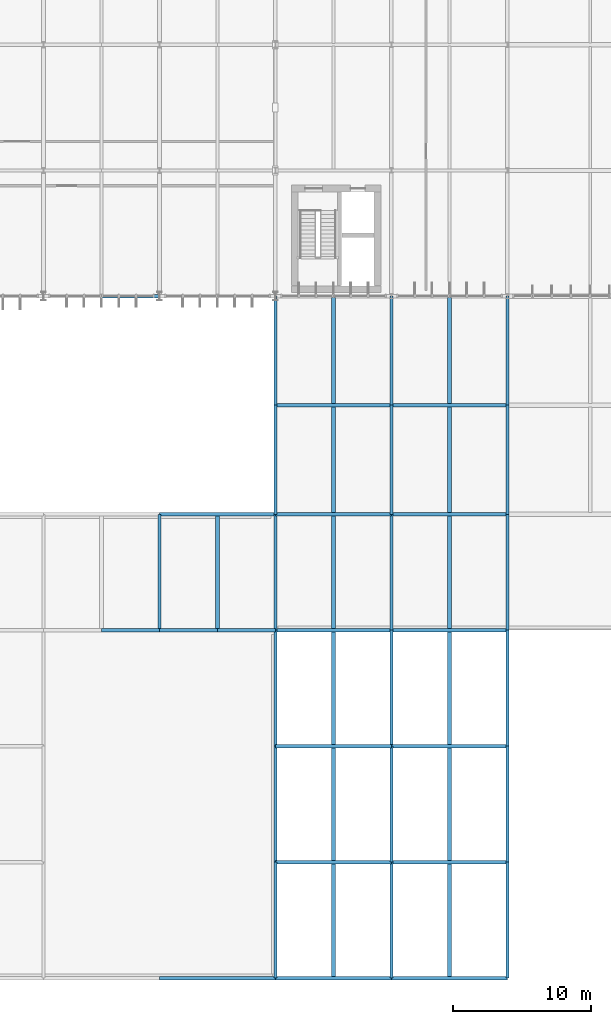
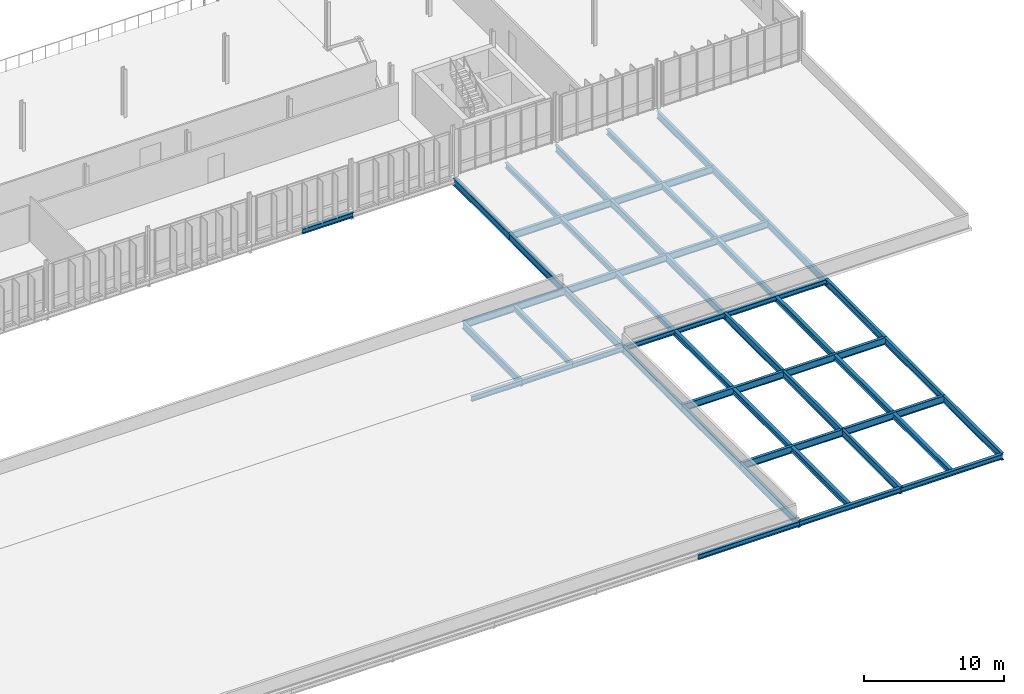
# One storey, part 60 of 107: 50 beams.
"""IFC4 building model written with IfcOpenShell, lengths in metres."""

from ifc_helpers import new_model, si_unit, derived_unit, direction, frame, origin, origin_2d, place, context, subcontext, project, spatial, i_section, extrude, material, material_profile, profile_set, type_object, element, save


model = new_model("IFC4")

# Units and contexts
model_context = context("Model", 3, precision=1e-05, world=origin(), true_north=direction((0.0, 1.0)))
body_context = subcontext(model_context, "Body", "Model", "MODEL_VIEW")
ifc_project = project(units=[si_unit("LENGTHUNIT", "METRE"), si_unit("AREAUNIT", "SQUARE_METRE"), si_unit("VOLUMEUNIT", "CUBIC_METRE"), si_unit("PLANEANGLEUNIT", "RADIAN"), si_unit("MASSUNIT", "GRAM", prefix="KILO"), derived_unit("THERMALTRANSMITTANCEUNIT", [(si_unit("MASSUNIT", "GRAM", prefix="KILO"), 1), (si_unit("TIMEUNIT", "SECOND"), -3), (si_unit("THERMODYNAMICTEMPERATUREUNIT", "KELVIN"), -1)])], contexts=[model_context])

# Site, building, storey
site_placement = place(None, origin())
site = spatial("IfcSite", under=ifc_project, at=site_placement, CompositionType="ELEMENT")
building_placement = place(site_placement, origin())
building = spatial("IfcBuilding", under=site, at=building_placement, Name="Makaiwela Harbour Ferry Terminal", CompositionType="ELEMENT")
storey_placement = place(building_placement, frame((0.0, 0.0, 9.60009765625)))
storey = spatial("IfcBuildingStorey", under=building, at=storey_placement, Name="L02", CompositionType="ELEMENT", Elevation=9.60009765625)

# Beams
ifc_material = material(Name="Steel ASTM A992 Grade 50", Category="steel")
ifc_material_profile_1 = material_profile(ifc_material, i_section(OverallWidth=0.280029296875, OverallDepth=0.462890625, WebThickness=0.0107421875, FlangeThickness=0.017333984375, at=origin_2d()), Name="W18X76")
ifc_profile_set_1 = profile_set([ifc_material_profile_1], Name="Steel ASTM A992 Grade 50")
beam_type_1 = type_object("IfcBeamType", Name="STR-BM-W18X76", PredefinedType="BEAM", material=ifc_profile_set_1)
for number, where, z_axis, x_axis, name in (
    (1, (134.39990234375, 25.314453125, -0.4716796875), (0.0, 1.0, 0.0), (-1.0, 0.0, 0.0), "Secondary floor beam 1517"),
    (2, (142.800048828125, 0.114501953125, -0.4716796875), (0.0, 1.0, 0.0), (-1.0, 0.0, 0.0), "Secondary floor beam 1521"),
):
    element("IfcBeam", number, at=place(storey_placement, frame(where, z_axis=z_axis, x_axis=x_axis)), inside=storey, type_object=beam_type_1, Name=name, PredefinedType="BEAM", context=body_context, shape_type="SweptSolid", body=[
        extrude(i_section(OverallWidth=0.280029296875, OverallDepth=0.462890625, WebThickness=0.0107421875, FlangeThickness=0.017333984375, at=origin_2d()), origin(), (0.0, 0.0, 1.0), 8.18896484375),
    ])
beam_1_placement = place(storey_placement, frame((142.800048828125, 8.49658203125, -0.4716796875), z_axis=(0.0, 1.0, 0.0), x_axis=(-1.0, 0.0, 0.0)))
element("IfcBeam", 3, at=beam_1_placement, inside=storey, type_object=beam_type_1, Name="Secondary floor beam 1522", PredefinedType="BEAM", context=body_context, shape_type="SweptSolid", body=[
    extrude(i_section(OverallWidth=0.280029296875, OverallDepth=0.462890625, WebThickness=0.0107421875, FlangeThickness=0.017333984375, at=origin_2d()), origin(), (0.0, 0.0, 1.0), 8.20703125),
])
for number, where, z_axis, x_axis, name in (
    (4, (142.800048828125, 16.896484375, -0.4716796875), (0.0, 1.0, 0.0), (-1.0, 0.0, 0.0), "Secondary floor beam 1523"),
    (5, (142.800048828125, 25.314453125, -0.4716796875), (0.0, 1.0, 0.0), (-1.0, 0.0, 0.0), "Secondary floor beam 1524"),
):
    element("IfcBeam", number, at=place(storey_placement, frame(where, z_axis=z_axis, x_axis=x_axis)), inside=storey, type_object=beam_type_1, Name=name, PredefinedType="BEAM", context=body_context, shape_type="SweptSolid", body=[
        extrude(i_section(OverallWidth=0.280029296875, OverallDepth=0.462890625, WebThickness=0.0107421875, FlangeThickness=0.017333984375, at=origin_2d()), origin(), (0.0, 0.0, 1.0), 8.18896484375),
    ])
beam_2_placement = place(storey_placement, frame((142.800048828125, 33.696533203125, -0.4716796875), z_axis=(0.0, 1.0, 0.0), x_axis=(-1.0, 0.0, 0.0)))
element("IfcBeam", 6, at=beam_2_placement, inside=storey, type_object=beam_type_1, Name="Secondary floor beam 1525", PredefinedType="BEAM", context=body_context, shape_type="SweptSolid", body=[
    extrude(i_section(OverallWidth=0.280029296875, OverallDepth=0.462890625, WebThickness=0.0107421875, FlangeThickness=0.017333984375, at=origin_2d()), origin(), (0.0, 0.0, 1.0), 7.70703125),
])
beam_3_placement = place(storey_placement, frame((142.800048828125, 41.596435546875, -0.49169921875), z_axis=(0.0, 1.0, 0.0), x_axis=(-1.0, 0.0, 0.0)))
element("IfcBeam", 7, at=beam_3_placement, inside=storey, type_object=beam_type_1, Name="Secondary floor beam 1526", PredefinedType="BEAM", context=body_context, shape_type="SweptSolid", body=[
    extrude(i_section(OverallWidth=0.280029296875, OverallDepth=0.462890625, WebThickness=0.0107421875, FlangeThickness=0.017333984375, at=origin_2d()), origin(), (0.0, 0.0, 1.0), 7.68896484375),
])
beam_4_placement = place(storey_placement, frame((151.199951171875, 0.114501953125, -0.4716796875), z_axis=(0.0, 1.0, 0.0), x_axis=(-1.0, 0.0, 0.0)))
element("IfcBeam", 8, at=beam_4_placement, inside=storey, type_object=beam_type_1, Name="Secondary floor beam 1531", PredefinedType="BEAM", context=body_context, shape_type="SweptSolid", body=[
    extrude(i_section(OverallWidth=0.280029296875, OverallDepth=0.462890625, WebThickness=0.0107421875, FlangeThickness=0.017333984375, at=origin_2d()), origin(), (0.0, 0.0, 1.0), 8.18896484375),
])
beam_5_placement = place(storey_placement, frame((151.199951171875, 8.49658203125, -0.4716796875), z_axis=(0.0, 1.0, 0.0), x_axis=(-1.0, 0.0, 0.0)))
element("IfcBeam", 9, at=beam_5_placement, inside=storey, type_object=beam_type_1, Name="Secondary floor beam 1532", PredefinedType="BEAM", context=body_context, shape_type="SweptSolid", body=[
    extrude(i_section(OverallWidth=0.280029296875, OverallDepth=0.462890625, WebThickness=0.0107421875, FlangeThickness=0.017333984375, at=origin_2d()), origin(), (0.0, 0.0, 1.0), 8.20703125),
])
for number, where, z_axis, x_axis, name in (
    (10, (151.199951171875, 16.896484375, -0.4716796875), (0.0, 1.0, 0.0), (-1.0, 0.0, 0.0), "Secondary floor beam 1533"),
    (11, (151.199951171875, 25.314453125, -0.4716796875), (0.0, 1.0, 0.0), (-1.0, 0.0, 0.0), "Secondary floor beam 1534"),
):
    element("IfcBeam", number, at=place(storey_placement, frame(where, z_axis=z_axis, x_axis=x_axis)), inside=storey, type_object=beam_type_1, Name=name, PredefinedType="BEAM", context=body_context, shape_type="SweptSolid", body=[
        extrude(i_section(OverallWidth=0.280029296875, OverallDepth=0.462890625, WebThickness=0.0107421875, FlangeThickness=0.017333984375, at=origin_2d()), origin(), (0.0, 0.0, 1.0), 8.18896484375),
    ])
beam_6_placement = place(storey_placement, frame((151.199951171875, 33.696533203125, -0.4716796875), z_axis=(0.0, 1.0, 0.0), x_axis=(-1.0, 0.0, 0.0)))
element("IfcBeam", 12, at=beam_6_placement, inside=storey, type_object=beam_type_1, Name="Secondary floor beam 1535", PredefinedType="BEAM", context=body_context, shape_type="SweptSolid", body=[
    extrude(i_section(OverallWidth=0.280029296875, OverallDepth=0.462890625, WebThickness=0.0107421875, FlangeThickness=0.017333984375, at=origin_2d()), origin(), (0.0, 0.0, 1.0), 7.70703125),
])
beam_7_placement = place(storey_placement, frame((151.199951171875, 41.596435546875, -0.49169921875), z_axis=(0.0, 1.0, 0.0), x_axis=(-1.0, 0.0, 0.0)))
element("IfcBeam", 13, at=beam_7_placement, inside=storey, type_object=beam_type_1, Name="Secondary floor beam 1536", PredefinedType="BEAM", context=body_context, shape_type="SweptSolid", body=[
    extrude(i_section(OverallWidth=0.280029296875, OverallDepth=0.462890625, WebThickness=0.0107421875, FlangeThickness=0.017333984375, at=origin_2d()), origin(), (0.0, 0.0, 1.0), 7.68896484375),
])
ifc_material_profile_2 = material_profile(ifc_material, i_section(OverallWidth=0.22900390625, OverallDepth=0.612060546875, WebThickness=0.011962890625, FlangeThickness=0.01953125, at=origin_2d()), Name="W24X84")
ifc_profile_set_2 = profile_set([ifc_material_profile_2], Name="Steel ASTM A992 Grade 50")
beam_type_2 = type_object("IfcBeamType", Name="STR-GRD-W24X84", PredefinedType="USERDEFINED", material=ifc_profile_set_2)
for number, where, z_axis, x_axis, name in (
    (14, (138.60009765625, 8.39990234375, -0.546142578125), (1.0, 0.0, 0.0), (0.0, 1.0, 0.0), "Primary X girder 1211"),
    (15, (147.0, 8.39990234375, -0.546142578125), (1.0, 0.0, 0.0), (0.0, 1.0, 0.0), "Primary X girder 1212"),
    (16, (138.60009765625, 16.800048828125, -0.546142578125), (1.0, 0.0, 0.0), (0.0, 1.0, 0.0), "Primary X girder 1221"),
    (17, (147.0, 16.800048828125, -0.546142578125), (1.0, 0.0, 0.0), (0.0, 1.0, 0.0), "Primary X girder 1222"),
):
    element("IfcBeam", number, at=place(storey_placement, frame(where, z_axis=z_axis, x_axis=x_axis)), inside=storey, type_object=beam_type_2, Name=name, ObjectType="GIRDER", PredefinedType="USERDEFINED", context=body_context, shape_type="SweptSolid", body=[
        extrude(i_section(OverallWidth=0.22900390625, OverallDepth=0.612060546875, WebThickness=0.011962890625, FlangeThickness=0.01953125, at=origin_2d()), origin(), (0.0, 0.0, 1.0), 8.39990234375),
    ])
beam_8_placement = place(storey_placement, frame((130.199951171875, 33.60009765625, -0.546142578125), z_axis=(1.0, 0.0, 0.0), x_axis=(0.0, 1.0, 0.0)))
element("IfcBeam", 18, at=beam_8_placement, inside=storey, type_object=beam_type_2, Name="Primary X girder 1257", ObjectType="GIRDER", PredefinedType="USERDEFINED", context=body_context, shape_type="SweptSolid", body=[
    extrude(i_section(OverallWidth=0.22900390625, OverallDepth=0.612060546875, WebThickness=0.011962890625, FlangeThickness=0.01953125, at=origin_2d()), origin(), (0.0, 0.0, 1.0), 8.400146484375),
])
for number, where, z_axis, x_axis, name in (
    (19, (138.60009765625, 33.60009765625, -0.546142578125), (1.0, 0.0, 0.0), (0.0, 1.0, 0.0), "Primary X girder 1258"),
    (20, (147.0, 33.60009765625, -0.546142578125), (1.0, 0.0, 0.0), (0.0, 1.0, 0.0), "Primary X girder 1259"),
    (21, (138.60009765625, 41.5, -0.546142578125), (1.0, 0.0, 0.0), (0.0, 1.0, 0.0), "Primary X girder 1266"),
    (22, (147.0, 41.5, -0.546142578125), (1.0, 0.0, 0.0), (0.0, 1.0, 0.0), "Primary X girder 1267"),
):
    element("IfcBeam", number, at=place(storey_placement, frame(where, z_axis=z_axis, x_axis=x_axis)), inside=storey, type_object=beam_type_2, Name=name, ObjectType="GIRDER", PredefinedType="USERDEFINED", context=body_context, shape_type="SweptSolid", body=[
        extrude(i_section(OverallWidth=0.22900390625, OverallDepth=0.612060546875, WebThickness=0.011962890625, FlangeThickness=0.01953125, at=origin_2d()), origin(), (0.0, 0.0, 1.0), 8.39990234375),
    ])
beam_9_placement = place(storey_placement, frame((130.199951171875, 25.199951171875, -0.546142578125), z_axis=(0.0, 1.0, 0.0), x_axis=(-1.0, 0.0, 0.0)))
element("IfcBeam", 23, at=beam_9_placement, inside=storey, type_object=beam_type_2, Name="Primary Y girder 1415", ObjectType="GIRDER", PredefinedType="USERDEFINED", context=body_context, shape_type="SweptSolid", body=[
    extrude(i_section(OverallWidth=0.22900390625, OverallDepth=0.612060546875, WebThickness=0.011962890625, FlangeThickness=0.01953125, at=origin_2d()), origin(), (0.0, 0.0, 1.0), 8.400146484375),
])
beam_10_placement = place(storey_placement, frame((138.60009765625, 0.0, -0.546142578125), z_axis=(0.0, 1.0, 0.0), x_axis=(-1.0, 0.0, 0.0)))
element("IfcBeam", 24, at=beam_10_placement, inside=storey, type_object=beam_type_2, Name="Primary Y girder 1419", ObjectType="GIRDER", PredefinedType="USERDEFINED", context=body_context, shape_type="SweptSolid", body=[
    extrude(i_section(OverallWidth=0.22900390625, OverallDepth=0.612060546875, WebThickness=0.011962890625, FlangeThickness=0.01953125, at=origin_2d()), origin(), (0.0, 0.0, 1.0), 8.39990234375),
])
beam_11_placement = place(storey_placement, frame((138.60009765625, 8.39990234375, -0.546142578125), z_axis=(0.0, 1.0, 0.0), x_axis=(-1.0, 0.0, 0.0)))
element("IfcBeam", 25, at=beam_11_placement, inside=storey, type_object=beam_type_2, Name="Primary Y girder 1420", ObjectType="GIRDER", PredefinedType="USERDEFINED", context=body_context, shape_type="SweptSolid", body=[
    extrude(i_section(OverallWidth=0.22900390625, OverallDepth=0.612060546875, WebThickness=0.011962890625, FlangeThickness=0.01953125, at=origin_2d()), origin(), (0.0, 0.0, 1.0), 8.400146484375),
])
beam_12_placement = place(storey_placement, frame((138.60009765625, 16.800048828125, -0.546142578125), z_axis=(0.0, 1.0, 0.0), x_axis=(-1.0, 0.0, 0.0)))
element("IfcBeam", 26, at=beam_12_placement, inside=storey, type_object=beam_type_2, Name="Primary Y girder 1421", ObjectType="GIRDER", PredefinedType="USERDEFINED", context=body_context, shape_type="SweptSolid", body=[
    extrude(i_section(OverallWidth=0.22900390625, OverallDepth=0.612060546875, WebThickness=0.011962890625, FlangeThickness=0.01953125, at=origin_2d()), origin(), (0.0, 0.0, 1.0), 8.39990234375),
])
beam_13_placement = place(storey_placement, frame((138.60009765625, 25.199951171875, -0.546142578125), z_axis=(0.0, 1.0, 0.0), x_axis=(-1.0, 0.0, 0.0)))
element("IfcBeam", 27, at=beam_13_placement, inside=storey, type_object=beam_type_2, Name="Primary Y girder 1422", ObjectType="GIRDER", PredefinedType="USERDEFINED", context=body_context, shape_type="SweptSolid", body=[
    extrude(i_section(OverallWidth=0.22900390625, OverallDepth=0.612060546875, WebThickness=0.011962890625, FlangeThickness=0.01953125, at=origin_2d()), origin(), (0.0, 0.0, 1.0), 8.400146484375),
])
for number, where, z_axis, x_axis, name in (
    (28, (138.60009765625, 33.60009765625, -0.546142578125), (0.0, 1.0, 0.0), (-1.0, 0.0, 0.0), "Primary Y girder 1423"),
    (29, (138.60009765625, 41.5, -0.546142578125), (0.0, 1.0, 0.0), (-1.0, 0.0, 0.0), "Primary Y girder 1424"),
):
    element("IfcBeam", number, at=place(storey_placement, frame(where, z_axis=z_axis, x_axis=x_axis)), inside=storey, type_object=beam_type_2, Name=name, ObjectType="GIRDER", PredefinedType="USERDEFINED", context=body_context, shape_type="SweptSolid", body=[
        extrude(i_section(OverallWidth=0.22900390625, OverallDepth=0.612060546875, WebThickness=0.011962890625, FlangeThickness=0.01953125, at=origin_2d()), origin(), (0.0, 0.0, 1.0), 7.89990234375),
    ])
beam_14_placement = place(storey_placement, frame((147.0, 0.0, -0.546142578125), z_axis=(0.0, 1.0, 0.0), x_axis=(-1.0, 0.0, 0.0)))
element("IfcBeam", 30, at=beam_14_placement, inside=storey, type_object=beam_type_2, Name="Primary Y girder 1428", ObjectType="GIRDER", PredefinedType="USERDEFINED", context=body_context, shape_type="SweptSolid", body=[
    extrude(i_section(OverallWidth=0.22900390625, OverallDepth=0.612060546875, WebThickness=0.011962890625, FlangeThickness=0.01953125, at=origin_2d()), origin(), (0.0, 0.0, 1.0), 8.39990234375),
])
beam_15_placement = place(storey_placement, frame((147.0, 8.39990234375, -0.546142578125), z_axis=(0.0, 1.0, 0.0), x_axis=(-1.0, 0.0, 0.0)))
element("IfcBeam", 31, at=beam_15_placement, inside=storey, type_object=beam_type_2, Name="Primary Y girder 1429", ObjectType="GIRDER", PredefinedType="USERDEFINED", context=body_context, shape_type="SweptSolid", body=[
    extrude(i_section(OverallWidth=0.22900390625, OverallDepth=0.612060546875, WebThickness=0.011962890625, FlangeThickness=0.01953125, at=origin_2d()), origin(), (0.0, 0.0, 1.0), 8.400146484375),
])
beam_16_placement = place(storey_placement, frame((147.0, 16.800048828125, -0.546142578125), z_axis=(0.0, 1.0, 0.0), x_axis=(-1.0, 0.0, 0.0)))
element("IfcBeam", 32, at=beam_16_placement, inside=storey, type_object=beam_type_2, Name="Primary Y girder 1430", ObjectType="GIRDER", PredefinedType="USERDEFINED", context=body_context, shape_type="SweptSolid", body=[
    extrude(i_section(OverallWidth=0.22900390625, OverallDepth=0.612060546875, WebThickness=0.011962890625, FlangeThickness=0.01953125, at=origin_2d()), origin(), (0.0, 0.0, 1.0), 8.39990234375),
])
beam_17_placement = place(storey_placement, frame((147.0, 25.199951171875, -0.546142578125), z_axis=(0.0, 1.0, 0.0), x_axis=(-1.0, 0.0, 0.0)))
element("IfcBeam", 33, at=beam_17_placement, inside=storey, type_object=beam_type_2, Name="Primary Y girder 1431", ObjectType="GIRDER", PredefinedType="USERDEFINED", context=body_context, shape_type="SweptSolid", body=[
    extrude(i_section(OverallWidth=0.22900390625, OverallDepth=0.612060546875, WebThickness=0.011962890625, FlangeThickness=0.01953125, at=origin_2d()), origin(), (0.0, 0.0, 1.0), 8.400146484375),
])
for number, where, z_axis, x_axis, name in (
    (34, (147.0, 33.60009765625, -0.546142578125), (0.0, 1.0, 0.0), (-1.0, 0.0, 0.0), "Primary Y girder 1432"),
    (35, (147.0, 41.5, -0.546142578125), (0.0, 1.0, 0.0), (-1.0, 0.0, 0.0), "Primary Y girder 1433"),
):
    element("IfcBeam", number, at=place(storey_placement, frame(where, z_axis=z_axis, x_axis=x_axis)), inside=storey, type_object=beam_type_2, Name=name, ObjectType="GIRDER", PredefinedType="USERDEFINED", context=body_context, shape_type="SweptSolid", body=[
        extrude(i_section(OverallWidth=0.22900390625, OverallDepth=0.612060546875, WebThickness=0.011962890625, FlangeThickness=0.01953125, at=origin_2d()), origin(), (0.0, 0.0, 1.0), 7.89990234375),
    ])
beam_18_placement = place(storey_placement, frame((155.39990234375, 0.0, -0.546142578125), z_axis=(0.0, 1.0, 0.0), x_axis=(-1.0, 0.0, 0.0)))
element("IfcBeam", 36, at=beam_18_placement, inside=storey, type_object=beam_type_2, Name="Primary Y girder 1439", ObjectType="GIRDER", PredefinedType="USERDEFINED", context=body_context, shape_type="SweptSolid", body=[
    extrude(i_section(OverallWidth=0.22900390625, OverallDepth=0.612060546875, WebThickness=0.011962890625, FlangeThickness=0.01953125, at=origin_2d()), origin(), (0.0, 0.0, 1.0), 8.39990234375),
])
beam_19_placement = place(storey_placement, frame((155.39990234375, 8.39990234375, -0.546142578125), z_axis=(0.0, 1.0, 0.0), x_axis=(-1.0, 0.0, 0.0)))
element("IfcBeam", 37, at=beam_19_placement, inside=storey, type_object=beam_type_2, Name="Primary Y girder 1440", ObjectType="GIRDER", PredefinedType="USERDEFINED", context=body_context, shape_type="SweptSolid", body=[
    extrude(i_section(OverallWidth=0.22900390625, OverallDepth=0.612060546875, WebThickness=0.011962890625, FlangeThickness=0.01953125, at=origin_2d()), origin(), (0.0, 0.0, 1.0), 8.400146484375),
])
beam_20_placement = place(storey_placement, frame((155.39990234375, 16.800048828125, -0.546142578125), z_axis=(0.0, 1.0, 0.0), x_axis=(-1.0, 0.0, 0.0)))
element("IfcBeam", 38, at=beam_20_placement, inside=storey, type_object=beam_type_2, Name="Primary Y girder 1441", ObjectType="GIRDER", PredefinedType="USERDEFINED", context=body_context, shape_type="SweptSolid", body=[
    extrude(i_section(OverallWidth=0.22900390625, OverallDepth=0.612060546875, WebThickness=0.011962890625, FlangeThickness=0.01953125, at=origin_2d()), origin(), (0.0, 0.0, 1.0), 8.39990234375),
])
beam_21_placement = place(storey_placement, frame((155.39990234375, 25.199951171875, -0.546142578125), z_axis=(0.0, 1.0, 0.0), x_axis=(-1.0, 0.0, 0.0)))
element("IfcBeam", 39, at=beam_21_placement, inside=storey, type_object=beam_type_2, Name="Primary Y girder 1442", ObjectType="GIRDER", PredefinedType="USERDEFINED", context=body_context, shape_type="SweptSolid", body=[
    extrude(i_section(OverallWidth=0.22900390625, OverallDepth=0.612060546875, WebThickness=0.011962890625, FlangeThickness=0.01953125, at=origin_2d()), origin(), (0.0, 0.0, 1.0), 8.400146484375),
])
for number, where, z_axis, x_axis, name in (
    (40, (155.39990234375, 33.60009765625, -0.546142578125), (0.0, 1.0, 0.0), (-1.0, 0.0, 0.0), "Primary Y girder 1443"),
    (41, (155.39990234375, 41.5, -0.546142578125), (0.0, 1.0, 0.0), (-1.0, 0.0, 0.0), "Primary Y girder 1444"),
):
    element("IfcBeam", number, at=place(storey_placement, frame(where, z_axis=z_axis, x_axis=x_axis)), inside=storey, type_object=beam_type_2, Name=name, ObjectType="GIRDER", PredefinedType="USERDEFINED", context=body_context, shape_type="SweptSolid", body=[
        extrude(i_section(OverallWidth=0.22900390625, OverallDepth=0.612060546875, WebThickness=0.011962890625, FlangeThickness=0.01953125, at=origin_2d()), origin(), (0.0, 0.0, 1.0), 7.89990234375),
    ])
ifc_material_profile_3 = material_profile(ifc_material, i_section(OverallWidth=0.264892578125, OverallDepth=0.430908203125, WebThickness=0.014892578125, FlangeThickness=0.02490234375, at=origin_2d()), Name="W16X100")
ifc_profile_set_3 = profile_set([ifc_material_profile_3], Name="Steel ASTM A992 Grade 50")
beam_type_3 = type_object("IfcBeamType", Name="STR-SPN-W16X100", PredefinedType="SPANDREL", material=ifc_profile_set_3)
beam_22_placement = place(storey_placement, frame((130.199951171875, 0.0, -0.45556640625), z_axis=(1.0, 0.0, 0.0), x_axis=(0.0, 1.0, 0.0)))
element("IfcBeam", 42, at=beam_22_placement, inside=storey, type_object=beam_type_3, Name="Primary X girder 1200", PredefinedType="SPANDREL", context=body_context, shape_type="SweptSolid", body=[
    extrude(i_section(OverallWidth=0.264892578125, OverallDepth=0.430908203125, WebThickness=0.014892578125, FlangeThickness=0.02490234375, at=origin_2d()), origin(), (0.0, 0.0, 1.0), 8.400146484375),
])
for number, where, z_axis, x_axis, name in (
    (43, (138.60009765625, 0.0, -0.45556640625), (1.0, 0.0, 0.0), (0.0, 1.0, 0.0), "Primary X girder 1201"),
    (44, (147.0, 0.0, -0.45556640625), (1.0, 0.0, 0.0), (0.0, 1.0, 0.0), "Primary X girder 1202"),
):
    element("IfcBeam", number, at=place(storey_placement, frame(where, z_axis=z_axis, x_axis=x_axis)), inside=storey, type_object=beam_type_3, Name=name, PredefinedType="SPANDREL", context=body_context, shape_type="SweptSolid", body=[
        extrude(i_section(OverallWidth=0.264892578125, OverallDepth=0.430908203125, WebThickness=0.014892578125, FlangeThickness=0.02490234375, at=origin_2d()), origin(), (0.0, 0.0, 1.0), 8.39990234375),
    ])
for number, where, z_axis, x_axis, name in (
    (45, (126.0, 25.199951171875, -0.45556640625), (1.0, 0.0, 0.0), (0.0, 1.0, 0.0), "Primary X girder 1240"),
    (46, (130.199951171875, 25.199951171875, -0.45556640625), (1.0, 0.0, 0.0), (0.0, 1.0, 0.0), "Primary X girder 1241"),
):
    element("IfcBeam", number, at=place(storey_placement, frame(where, z_axis=z_axis, x_axis=x_axis)), inside=storey, type_object=beam_type_3, Name=name, PredefinedType="SPANDREL", context=body_context, shape_type="SweptSolid", body=[
        extrude(i_section(OverallWidth=0.264892578125, OverallDepth=0.430908203125, WebThickness=0.014892578125, FlangeThickness=0.02490234375, at=origin_2d()), origin(), (0.0, 0.0, 1.0), 4.199951171875),
    ])
beam_23_placement = place(storey_placement, frame((134.39990234375, 25.199951171875, -0.45556640625), z_axis=(1.0, 0.0, 0.0), x_axis=(0.0, 1.0, 0.0)))
element("IfcBeam", 47, at=beam_23_placement, inside=storey, type_object=beam_type_3, Name="Primary X girder 1242", PredefinedType="SPANDREL", context=body_context, shape_type="SweptSolid", body=[
    extrude(i_section(OverallWidth=0.264892578125, OverallDepth=0.430908203125, WebThickness=0.014892578125, FlangeThickness=0.02490234375, at=origin_2d()), origin(), (0.0, 0.0, 1.0), 4.2001953125),
])
for number, where, z_axis, x_axis, name in (
    (48, (138.60009765625, 25.199951171875, -0.45556640625), (1.0, 0.0, 0.0), (0.0, 1.0, 0.0), "Primary X girder 1243"),
    (49, (147.0, 25.199951171875, -0.45556640625), (1.0, 0.0, 0.0), (0.0, 1.0, 0.0), "Primary X girder 1244"),
):
    element("IfcBeam", number, at=place(storey_placement, frame(where, z_axis=z_axis, x_axis=x_axis)), inside=storey, type_object=beam_type_3, Name=name, PredefinedType="SPANDREL", context=body_context, shape_type="SweptSolid", body=[
        extrude(i_section(OverallWidth=0.264892578125, OverallDepth=0.430908203125, WebThickness=0.014892578125, FlangeThickness=0.02490234375, at=origin_2d()), origin(), (0.0, 0.0, 1.0), 8.39990234375),
    ])
beam_24_placement = place(storey_placement, frame((126.0, 49.39990234375, -0.4755859375), z_axis=(1.0, 0.0, 0.0), x_axis=(0.0, 1.0, 0.0)))
element("IfcBeam", 50, at=beam_24_placement, inside=storey, type_object=beam_type_3, Name="Primary X girder 1286", PredefinedType="SPANDREL", context=body_context, shape_type="SweptSolid", body=[
    extrude(i_section(OverallWidth=0.264892578125, OverallDepth=0.430908203125, WebThickness=0.014892578125, FlangeThickness=0.02490234375, at=origin_2d()), origin(), (0.0, 0.0, 1.0), 4.199951171875),
])

save(model, "model.ifc")
